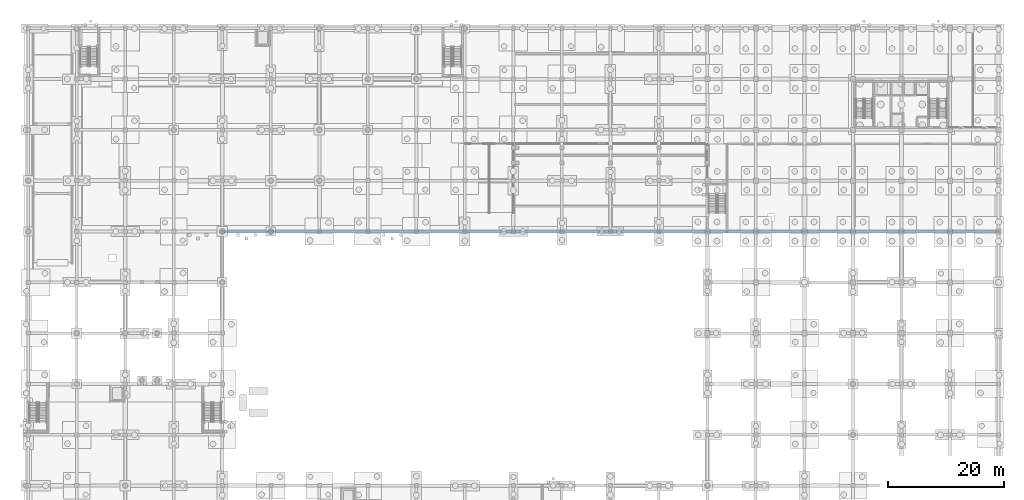
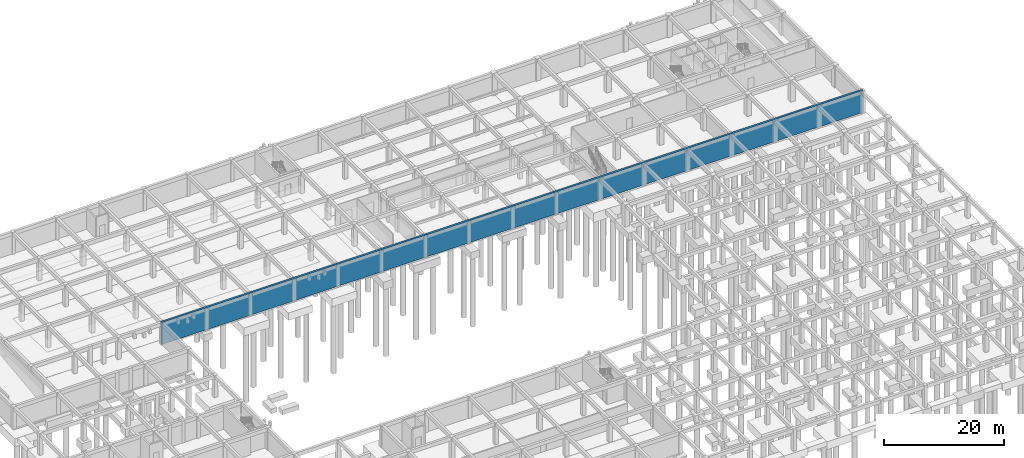
# One storey, part 26 of 41: 1 wall.
"""IFC4 building model written with IfcOpenShell, lengths in metres."""

from ifc_helpers import new_model, si_unit, direction, frame, frame_2d, origin, place, context, subcontext, project, spatial, rectangle, extrude, material, layer, layer_set, type_object, element, save


model = new_model("IFC4")

# Units and contexts
model_context = context("Model", 3, precision=1e-05, world=origin(), true_north=direction((0.0, 1.0)))
body_context = subcontext(model_context, "Body", "Model", "MODEL_VIEW")
ifc_project = project(units=[si_unit("LENGTHUNIT", "METRE"), si_unit("AREAUNIT", "SQUARE_METRE"), si_unit("VOLUMEUNIT", "CUBIC_METRE"), si_unit("PLANEANGLEUNIT", "RADIAN"), si_unit("MASSUNIT", "GRAM", prefix="KILO")], contexts=[model_context])

# Site, building, storey
site_placement = place(None, origin())
site = spatial("IfcSite", under=ifc_project, at=site_placement, CompositionType="ELEMENT")
building_placement = place(site_placement, origin())
building = spatial("IfcBuilding", under=site, at=building_placement, Name="Kemercrest Conservatory and Botanical Centre", CompositionType="ELEMENT")
storey_placement = place(building_placement, frame((0.0, 0.0, -4.5)))
storey = spatial("IfcBuildingStorey", under=building, at=storey_placement, Name="B1", CompositionType="ELEMENT", Elevation=-4.5)

# Wall
ifc_material = material(Name="Concrete C40/50", Category="concrete")
ifc_layer = layer(ifc_material, 0.39990234375)
ifc_layer_set = layer_set([ifc_layer], Name="Concrete C40/50")
wall_type = type_object("IfcWallType", Name="W-RET400", PredefinedType="USERDEFINED", material=ifc_layer_set)
wall_placement = place(storey_placement, frame((41.39990234375, 87.199951171875, 0.0), z_axis=(0.0, 0.0, 1.0), x_axis=(1.0, 0.0, 0.0)))
element("IfcWall", 1, at=wall_placement, inside=storey, type_object=wall_type, Name="Basement perimeter retaining wall #11", ObjectType="RETAINING WALL", PredefinedType="USERDEFINED", context=body_context, shape_type="SweptSolid", body=[
    extrude(rectangle(XDim=134.800048828125, YDim=0.39990234375, at=frame_2d((67.39990234375, 0.0))), origin(), (0.0, 0.0, 1.0), 4.5),
])

save(model, "model.ifc")
